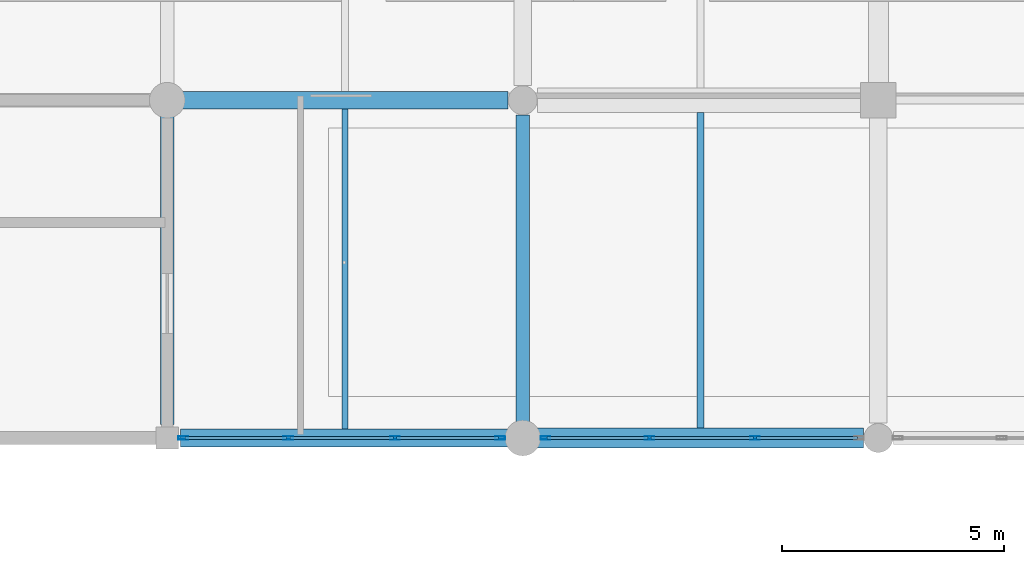
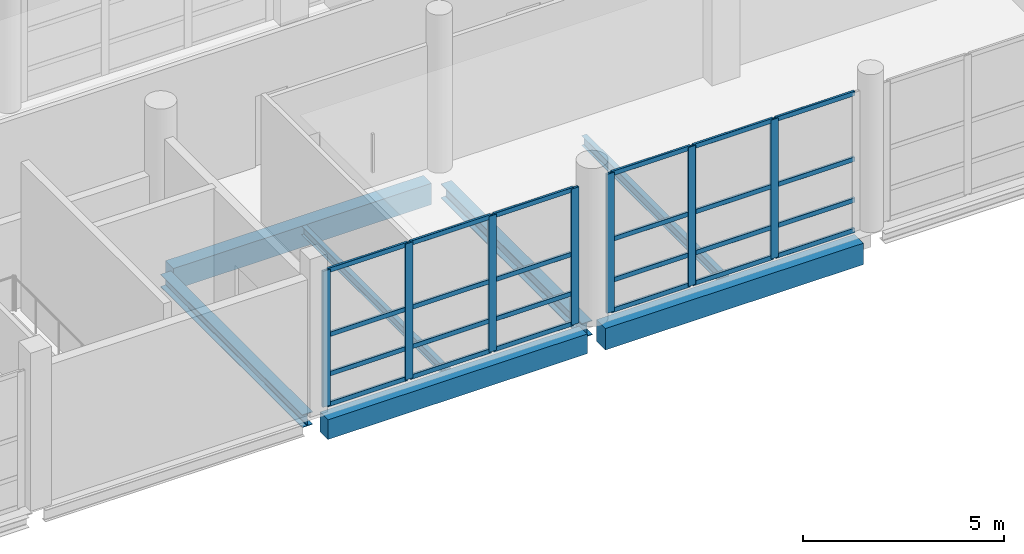
# One storey, part 27 of 141: 31 members, 7 beams, 2 elements without a shape of their own.
"""IFC4 building model written with IfcOpenShell, lengths in metres."""

import ifcopenshell
import ifcopenshell.guid

model = None  # the IFC model being written
_history = None  # IfcOwnerHistory: only IFC2X3 demands one
_inside = {}  # id of a spatial element -> (the spatial element, [elements in it])
_under = {}  # id of a project, library or spatial element -> (it, [spatial elements below it])
_declared = {}  # id of a project -> (the project, [libraries it declares])
_typed = {}  # id of a type object -> (the type object, [elements of that type])
_made_of = {}  # id of a material, layer set ... -> (it, [elements and type objects made of it])


def new_model(schema):
    """Start an empty IFC model of exactly this schema.

    Asked for "IFC4X3", IfcOpenShell would pick the latest addendum, in which some entities
    have other attributes; the version numbers below select the first issue.
    IFC2X3 requires an IfcOwnerHistory on every rooted entity: one is made here for all.
    """
    global model, _history
    if schema == "IFC4X3":
        model = ifcopenshell.file(schema_version=(4, 3, 0, 0))
    else:
        model = ifcopenshell.file(schema=schema)
    _inside.clear()
    _under.clear()
    _declared.clear()
    _typed.clear()
    _made_of.clear()
    _history = None
    if model.schema == "IFC2X3":
        org = make("IfcOrganization", Name="unknown")
        user = make(
            "IfcPersonAndOrganization",
            ThePerson=make("IfcPerson", FamilyName="unknown"),
            TheOrganization=org,
        )
        app = make(
            "IfcApplication",
            ApplicationDeveloper=org,
            Version="unknown",
            ApplicationFullName="unknown",
            ApplicationIdentifier="unknown",
        )
        _history = make(
            "IfcOwnerHistory",
            OwningUser=user,
            OwningApplication=app,
            ChangeAction="ADDED",
            CreationDate=0,
        )
    return model


def make(cls, **values):
    """One entity of the class cls with the attributes given. An attribute that is None is left unset."""
    return model.create_entity(
        cls, **{name: value for name, value in values.items() if value is not None}
    )


def rooted(cls, **values):
    """An entity with a GlobalId (a new one), such as an element, a storey or a relation."""
    return make(cls, GlobalId=ifcopenshell.guid.new(), OwnerHistory=_history, **values)


def si_unit(unit_type, name, prefix=None):
    """IfcSIUnit, for example si_unit("LENGTHUNIT", "METRE", prefix="MILLI")."""
    return make("IfcSIUnit", UnitType=unit_type, Prefix=prefix, Name=name)


def assignment(units):
    """IfcUnitAssignment: the units of a project."""
    return None if units is None else make("IfcUnitAssignment", Units=units)


def point(xyz):
    """IfcCartesianPoint."""
    return None if xyz is None else make("IfcCartesianPoint", Coordinates=xyz)


def direction(xyz):
    """IfcDirection."""
    return None if xyz is None else make("IfcDirection", DirectionRatios=xyz)


def frame(location, z_axis=None, x_axis=None):
    """IfcAxis2Placement3D, a coordinate frame: its origin and axes. An axis left out is left unset."""
    return make(
        "IfcAxis2Placement3D",
        Location=point(location),
        Axis=direction(z_axis),
        RefDirection=direction(x_axis),
    )


def frame_2d(location, x_axis=None):
    """IfcAxis2Placement2D, a coordinate frame in the plane: its origin and x axis."""
    return make(
        "IfcAxis2Placement2D", Location=point(location), RefDirection=direction(x_axis)
    )


def origin():
    """The frame at (0, 0, 0) with its axes left unset."""
    return frame((0.0, 0.0, 0.0))


def origin_2d():
    """The frame at (0, 0) in the plane with its x axis left unset."""
    return frame_2d((0.0, 0.0))


def place(relative_to, where):
    """IfcLocalPlacement: puts the frame where relative to a parent placement (None: the world)."""
    return make(
        "IfcLocalPlacement", PlacementRelTo=relative_to, RelativePlacement=where
    )


def context(
    kind, dimensions, precision=None, world=None, true_north=None, identifier=None
):
    """IfcGeometricRepresentationContext, for example the 3D "Model" context."""
    return make(
        "IfcGeometricRepresentationContext",
        ContextIdentifier=identifier,
        ContextType=kind,
        CoordinateSpaceDimension=dimensions,
        Precision=precision,
        WorldCoordinateSystem=world,
        TrueNorth=true_north,
    )


def subcontext(parent, identifier, kind, view, scale=None):
    """IfcGeometricRepresentationSubContext, for example "Body" below "Model"."""
    return make(
        "IfcGeometricRepresentationSubContext",
        ContextIdentifier=identifier,
        ContextType=kind,
        ParentContext=parent,
        TargetScale=scale,
        TargetView=view,
    )


def project(units=None, contexts=None):
    """IfcProject with its units and contexts."""
    return rooted(
        "IfcProject",
        Name="project",
        RepresentationContexts=contexts,
        UnitsInContext=assignment(units),
    )


def spatial(cls, under=None, at=None, **own):
    """A site, building, storey or space (cls), placed at a placement, below another one or the project."""
    s = rooted(cls, ObjectPlacement=at, **own)
    if under is not None:
        _under.setdefault(under.id(), (under, []))[1].append(s)
    return s


def profile(cls, at=None, kind="AREA", **sizes):
    """A parametric profile (cls). Its sizes go by their IFC names, for example OverallWidth=200.0."""
    return make(cls, ProfileType=kind, Position=at, **sizes)


def rectangle(**sizes):
    """IfcRectangleProfileDef."""
    return profile("IfcRectangleProfileDef", **sizes)


def hollow_rectangle(**sizes):
    """IfcRectangleHollowProfileDef."""
    return profile("IfcRectangleHollowProfileDef", **sizes)


def i_section(**sizes):
    """IfcIShapeProfileDef."""
    return profile("IfcIShapeProfileDef", **sizes)


def extrude(swept, where, along, depth):
    """IfcExtrudedAreaSolid: the profile swept, set in the frame where, extruded along a direction by depth."""
    return make(
        "IfcExtrudedAreaSolid",
        SweptArea=swept,
        Position=where,
        ExtrudedDirection=direction(along),
        Depth=depth,
    )


def shape(context_of_items, identifier, shape_type, items):
    """IfcShapeRepresentation: the items that make up one representation, for example the "Body"."""
    return make(
        "IfcShapeRepresentation",
        ContextOfItems=context_of_items,
        RepresentationIdentifier=identifier,
        RepresentationType=shape_type,
        Items=items,
    )


def material(Name=None, Category=None):
    """IfcMaterial."""
    return make("IfcMaterial", Name=Name, Category=Category)


def material_profile(
    of_material, cross_section, Name=None, Category=None, Priority=None
):
    """IfcMaterialProfile: a cross section and its material."""
    return make(
        "IfcMaterialProfile",
        Name=Name,
        Material=of_material,
        Profile=cross_section,
        Priority=Priority,
        Category=Category,
    )


def profile_set(profiles, Name=None, composite=None):
    """IfcMaterialProfileSet."""
    return make(
        "IfcMaterialProfileSet",
        Name=Name,
        MaterialProfiles=profiles,
        CompositeProfile=composite,
    )


def made_of(thing, what):
    """Note that an element or type object is made of a material, layer set ...; save() writes the relation."""
    if what is not None:
        _made_of.setdefault(what.id(), (what, []))[1].append(thing)
    return thing


def type_object(cls, material=None, **own):
    """A type object (cls), such as IfcWallType, which elements share."""
    return made_of(rooted(cls, **own), material)


def element(
    cls,
    number,
    at=None,
    inside=None,
    cuts=None,
    type_object=None,
    material=None,
    context=None,
    identifier="Body",
    shape_type=None,
    held_by="IfcProductDefinitionShape",
    body=None,
    shapes=None,
    **own,
):
    """One element of the class cls, such as IfcWall. Its Tag is "e" and its number.

    at: its placement. inside: the storey or other place that contains it. cuts: it is an
    opening in that element (IfcRelVoidsElement). A single representation is given by context,
    identifier, shape_type and body (its items); several are given by shapes. held_by: the class
    of the entity that holds the representations. save() writes the other relations.
    """
    e = rooted(cls, Tag="e%d" % number, ObjectPlacement=at, **own)
    if body is not None:
        shapes = [shape(context, identifier, shape_type, body)]
    if shapes is not None:
        e.Representation = make(held_by, Representations=shapes)
    if inside is not None:
        _inside.setdefault(inside.id(), (inside, []))[1].append(e)
    if cuts is not None:
        rooted(
            "IfcRelVoidsElement", RelatingBuildingElement=cuts, RelatedOpeningElement=e
        )
    if type_object is not None:
        _typed.setdefault(type_object.id(), (type_object, []))[1].append(e)
    return made_of(e, material)


def aggregate(whole, parts):
    """IfcRelAggregates: a whole, such as a stair, and the parts it consists of."""
    return rooted("IfcRelAggregates", RelatingObject=whole, RelatedObjects=parts)


def save(model, path):
    """Write the relations noted so far, then the file.

    IfcRelAggregates (storeys below a building ...), IfcRelContainedInSpatialStructure (elements
    in a storey), IfcRelDefinesByType, IfcRelAssociatesMaterial and IfcRelDeclares: one each for
    every whole, place, type object, material and project.
    """
    for whole, parts in _under.values():
        aggregate(whole, parts)
    for where, things in _inside.values():
        rooted(
            "IfcRelContainedInSpatialStructure",
            RelatedElements=things,
            RelatingStructure=where,
        )
    for kind, things in _typed.values():
        rooted("IfcRelDefinesByType", RelatedObjects=things, RelatingType=kind)
    for what, things in _made_of.values():
        rooted("IfcRelAssociatesMaterial", RelatedObjects=things, RelatingMaterial=what)
    for by, libraries in _declared.values():
        rooted("IfcRelDeclares", RelatingContext=by, RelatedDefinitions=libraries)
    model.write(path)


model = new_model("IFC4")

# Units and contexts
model_context = context("Model", 3, precision=1e-05, world=origin(), true_north=direction((0.0, 1.0)))
body_context = subcontext(model_context, "Body", "Model", "MODEL_VIEW")
ifc_project = project(units=[si_unit("LENGTHUNIT", "METRE"), si_unit("AREAUNIT", "SQUARE_METRE"), si_unit("VOLUMEUNIT", "CUBIC_METRE"), si_unit("PLANEANGLEUNIT", "RADIAN"), si_unit("MASSUNIT", "GRAM", prefix="KILO")], contexts=[model_context])

# Site, building, storey
site_placement = place(None, origin())
site = spatial("IfcSite", under=ifc_project, at=site_placement, CompositionType="ELEMENT")
building_placement = place(site_placement, origin())
building = spatial("IfcBuilding", under=site, at=building_placement, Name="Khelvaren Railside Concert Hall", CompositionType="ELEMENT")
storey_placement = place(building_placement, frame((0.0, 0.0, 10.199951171875)))
storey = spatial("IfcBuildingStorey", under=building, at=storey_placement, Name="L02", CompositionType="ELEMENT", Elevation=10.199951171875)

# Beams
ifc_material_1 = material(Name="Steel S355", Category="steel")
ifc_material_profile_1 = material_profile(ifc_material_1, i_section(OverallWidth=0.300048828125, OverallDepth=0.389892578125, WebThickness=0.010986328125, FlangeThickness=0.01904296875, FilletRadius=0.027099609375, at=origin_2d()), Name="HEA 400")
ifc_profile_set_1 = profile_set([ifc_material_profile_1], Name="Steel S355")
beam_type_1 = type_object("IfcBeamType", Name="BM23", PredefinedType="BEAM", material=ifc_profile_set_1)
beam_1_placement = place(storey_placement, frame((80.0, 0.300048828125, -0.48486328125), z_axis=(0.0, 1.0, 0.0), x_axis=(-1.0, 0.0, 0.0)))
element("IfcBeam", 1, at=beam_1_placement, inside=storey, type_object=beam_type_1, Name="V3 L02 Beam Y3.1", PredefinedType="BEAM", context=body_context, shape_type="SweptSolid", body=[
    extrude(i_section(OverallWidth=0.300048828125, OverallDepth=0.389892578125, WebThickness=0.010986328125, FlangeThickness=0.01904296875, FilletRadius=0.027099609375, at=origin_2d()), origin(), (0.0, 0.0, 1.0), 7.050048828125),
])
ifc_material_2 = material(Name="Concrete C40/50", Category="concrete")
ifc_material_profile_2 = material_profile(ifc_material_2, rectangle(XDim=0.39990234375, YDim=0.64990234375, at=origin_2d()), Name="RCB 400x650")
ifc_profile_set_2 = profile_set([ifc_material_profile_2], Name="Concrete C40/50")
beam_type_2 = type_object("IfcBeamType", Name="BM33", PredefinedType="BEAM", material=ifc_profile_set_2)
beam_2_placement = place(storey_placement, frame((80.25, 7.60009765625, -0.614990234375), z_axis=(1.0, 0.0, 0.0), x_axis=(0.0, 1.0, 0.0)))
element("IfcBeam", 2, at=beam_2_placement, inside=storey, type_object=beam_type_2, Name="V3 L02 Beam X2.3", PredefinedType="BEAM", context=body_context, shape_type="SweptSolid", body=[
    extrude(rectangle(XDim=0.39990234375, YDim=0.64990234375, at=origin_2d()), origin(), (0.0, 0.0, 1.0), 7.4140625),
])
ifc_material_profile_3 = material_profile(ifc_material_1, i_section(OverallWidth=0.300048828125, OverallDepth=0.43994140625, WebThickness=0.011474609375, FlangeThickness=0.02099609375, FilletRadius=0.027099609375, at=origin_2d()), Name="HEA 450")
ifc_profile_set_3 = profile_set([ifc_material_profile_3], Name="Steel S355")
beam_type_3 = type_object("IfcBeamType", Name="BM89", PredefinedType="BEAM", material=ifc_profile_set_3)
beam_3_placement = place(storey_placement, frame((88.0, 0.25, -0.510009765625), z_axis=(0.0, 1.0, 0.0), x_axis=(-1.0, 0.0, 0.0)))
element("IfcBeam", 3, at=beam_3_placement, inside=storey, type_object=beam_type_3, Name="V3 L02 Beam Y4.1", PredefinedType="BEAM", context=body_context, shape_type="SweptSolid", body=[
    extrude(i_section(OverallWidth=0.300048828125, OverallDepth=0.43994140625, WebThickness=0.011474609375, FlangeThickness=0.02099609375, FilletRadius=0.027099609375, at=origin_2d()), origin(), (0.0, 0.0, 1.0), 7.013916015625),
])

# Curtain wall, members
ifc_material_3 = material(Name="Double-glazed clear foyer glass", Category="glass")
curtain_wall_type_1 = type_object("IfcCurtainWallType", Name="CW64", PredefinedType="USERDEFINED", material=ifc_material_3)
curtain_wall_1_placement = place(storey_placement, origin())
curtain_wall_1 = element("IfcCurtainWall", 4, at=curtain_wall_1_placement, inside=storey, type_object=curtain_wall_type_1, Name="Unitised Curtain Wall CW-V3-L02-S-80", ObjectType="UNITISED CURTAIN WALL", PredefinedType="USERDEFINED")
ifc_material_4 = material(Name="Anodised architectural aluminium 6063-T6", Category="aluminium")
ifc_material_profile_4 = material_profile(ifc_material_4, hollow_rectangle(XDim=0.074951171875, YDim=0.219970703125, WallThickness=0.0048828125, InnerFilletRadius=0.0029296875, OuterFilletRadius=0.0048828125, at=origin_2d()), Name="CWM 75x220x5")
ifc_profile_set_4 = profile_set([ifc_material_profile_4], Name="Anodised architectural aluminium 6063-T6")
member_type_1 = type_object("IfcMemberType", Name="CWM13", PredefinedType="MULLION", material=ifc_profile_set_4)
member_1_placement = place(storey_placement, frame((87.489990234375, 0.0, 0.0), z_axis=(0.0, 0.0, 1.0), x_axis=(0.0, -1.0, 0.0)))
member_1 = element("IfcMember", 5, at=member_1_placement, type_object=member_type_1, Name="CW64 mullion 1", PredefinedType="MULLION", context=body_context, shape_type="SweptSolid", body=[
    extrude(hollow_rectangle(XDim=0.074951171875, YDim=0.219970703125, WallThickness=0.0048828125, InnerFilletRadius=0.0029296875, OuterFilletRadius=0.0048828125, at=origin_2d()), origin(), (0.0, 0.0, 1.0), 4.130126953125),
])
member_2_placement = place(storey_placement, frame((85.125732421875, 0.0, 0.0), z_axis=(0.0, 0.0, 1.0), x_axis=(0.0, -1.0, 0.0)))
member_2 = element("IfcMember", 6, at=member_2_placement, type_object=member_type_1, Name="CW64 mullion 2", PredefinedType="MULLION", context=body_context, shape_type="SweptSolid", body=[
    extrude(hollow_rectangle(XDim=0.074951171875, YDim=0.219970703125, WallThickness=0.0048828125, InnerFilletRadius=0.0029296875, OuterFilletRadius=0.0048828125, at=origin_2d()), origin(), (0.0, 0.0, 1.0), 4.130126953125),
])
member_3_placement = place(storey_placement, frame((82.72412109375, 0.0, 0.0), z_axis=(0.0, 0.0, 1.0), x_axis=(0.0, -1.0, 0.0)))
member_3 = element("IfcMember", 7, at=member_3_placement, type_object=member_type_1, Name="CW64 mullion 3", PredefinedType="MULLION", context=body_context, shape_type="SweptSolid", body=[
    extrude(hollow_rectangle(XDim=0.074951171875, YDim=0.219970703125, WallThickness=0.0048828125, InnerFilletRadius=0.0029296875, OuterFilletRadius=0.0048828125, at=origin_2d()), origin(), (0.0, 0.0, 1.0), 4.130126953125),
])
member_4_placement = place(storey_placement, frame((80.360107421875, 0.0, 0.0), z_axis=(0.0, 0.0, 1.0), x_axis=(0.0, -1.0, 0.0)))
member_4 = element("IfcMember", 8, at=member_4_placement, type_object=member_type_1, Name="CW64 mullion 4", PredefinedType="MULLION", context=body_context, shape_type="SweptSolid", body=[
    extrude(hollow_rectangle(XDim=0.074951171875, YDim=0.219970703125, WallThickness=0.0048828125, InnerFilletRadius=0.0029296875, OuterFilletRadius=0.0048828125, at=origin_2d()), origin(), (0.0, 0.0, 1.0), 4.130126953125),
])

curtain_wall_type_2 = type_object("IfcCurtainWallType", Name="CW68", PredefinedType="USERDEFINED", material=ifc_material_3)
curtain_wall_2_placement = place(storey_placement, origin())
curtain_wall_2 = element("IfcCurtainWall", 9, at=curtain_wall_2_placement, inside=storey, type_object=curtain_wall_type_2, Name="Unitised Curtain Wall CW-V3-L02-S-88", ObjectType="UNITISED CURTAIN WALL", PredefinedType="USERDEFINED")
member_5_placement = place(storey_placement, frame((93.225830078125, 0.0, 0.0), z_axis=(0.0, 0.0, 1.0), x_axis=(0.0, -1.0, 0.0)))
member_5 = element("IfcMember", 10, at=member_5_placement, type_object=member_type_1, Name="CW68 mullion 2", PredefinedType="MULLION", context=body_context, shape_type="SweptSolid", body=[
    extrude(hollow_rectangle(XDim=0.074951171875, YDim=0.219970703125, WallThickness=0.0048828125, InnerFilletRadius=0.0029296875, OuterFilletRadius=0.0048828125, at=origin_2d()), origin(), (0.0, 0.0, 1.0), 4.219970703125),
])
member_6_placement = place(storey_placement, frame((90.84912109375, 0.0, 0.0), z_axis=(0.0, 0.0, 1.0), x_axis=(0.0, -1.0, 0.0)))
member_6 = element("IfcMember", 11, at=member_6_placement, type_object=member_type_1, Name="CW68 mullion 3", PredefinedType="MULLION", context=body_context, shape_type="SweptSolid", body=[
    extrude(hollow_rectangle(XDim=0.074951171875, YDim=0.219970703125, WallThickness=0.0048828125, InnerFilletRadius=0.0029296875, OuterFilletRadius=0.0048828125, at=origin_2d()), origin(), (0.0, 0.0, 1.0), 4.219970703125),
])
member_7_placement = place(storey_placement, frame((88.510009765625, 0.0, 0.0), z_axis=(0.0, 0.0, 1.0), x_axis=(0.0, -1.0, 0.0)))
member_7 = element("IfcMember", 12, at=member_7_placement, type_object=member_type_1, Name="CW68 mullion 4", PredefinedType="MULLION", context=body_context, shape_type="SweptSolid", body=[
    extrude(hollow_rectangle(XDim=0.074951171875, YDim=0.219970703125, WallThickness=0.0048828125, InnerFilletRadius=0.0029296875, OuterFilletRadius=0.0048828125, at=origin_2d()), origin(), (0.0, 0.0, 1.0), 4.219970703125),
])

# Member
ifc_material_profile_5 = material_profile(ifc_material_4, hollow_rectangle(XDim=0.06494140625, YDim=0.139892578125, WallThickness=0.00390625, InnerFilletRadius=0.001953125, OuterFilletRadius=0.00390625, at=origin_2d()), Name="CWT 65x140x4")
ifc_profile_set_5 = profile_set([ifc_material_profile_5], Name="Anodised architectural aluminium 6063-T6")
member_type_2 = type_object("IfcMemberType", Name="CWT72", PredefinedType="USERDEFINED", material=ifc_profile_set_5)
member_8_placement = place(storey_placement, frame((87.452392578125, 0.0, 0.032470703125), z_axis=(-1.0, 0.0, 0.0), x_axis=(0.0, -1.0, 0.0)))
member_8 = element("IfcMember", 13, at=member_8_placement, type_object=member_type_2, Name="CW64 transom 1.1", ObjectType="TRANSOM", PredefinedType="USERDEFINED", context=body_context, shape_type="SweptSolid", body=[
    extrude(hollow_rectangle(XDim=0.06494140625, YDim=0.139892578125, WallThickness=0.00390625, InnerFilletRadius=0.001953125, OuterFilletRadius=0.00390625, at=origin_2d()), origin(), (0.0, 0.0, 1.0), 2.2890625),
])

member_9_placement = place(storey_placement, frame((87.452392578125, 0.0, 0.949951171875), z_axis=(-1.0, 0.0, 0.0), x_axis=(0.0, -1.0, 0.0)))
member_9 = element("IfcMember", 14, at=member_9_placement, type_object=member_type_2, Name="CW64 transom 1.2", ObjectType="TRANSOM", PredefinedType="USERDEFINED", context=body_context, shape_type="SweptSolid", body=[
    extrude(hollow_rectangle(XDim=0.06494140625, YDim=0.139892578125, WallThickness=0.00390625, InnerFilletRadius=0.001953125, OuterFilletRadius=0.00390625, at=origin_2d()), origin(), (0.0, 0.0, 1.0), 2.2890625),
])

member_10_placement = place(storey_placement, frame((87.452392578125, 0.0, 2.147705078125), z_axis=(-1.0, 0.0, 0.0), x_axis=(0.0, -1.0, 0.0)))
member_10 = element("IfcMember", 15, at=member_10_placement, type_object=member_type_2, Name="CW64 transom 1.3", ObjectType="TRANSOM", PredefinedType="USERDEFINED", context=body_context, shape_type="SweptSolid", body=[
    extrude(hollow_rectangle(XDim=0.06494140625, YDim=0.139892578125, WallThickness=0.00390625, InnerFilletRadius=0.001953125, OuterFilletRadius=0.00390625, at=origin_2d()), origin(), (0.0, 0.0, 1.0), 2.2890625),
])

member_11_placement = place(storey_placement, frame((87.452392578125, 0.0, 4.09765625), z_axis=(-1.0, 0.0, 0.0), x_axis=(0.0, -1.0, 0.0)))
member_11 = element("IfcMember", 16, at=member_11_placement, type_object=member_type_2, Name="CW64 transom 1.4", ObjectType="TRANSOM", PredefinedType="USERDEFINED", context=body_context, shape_type="SweptSolid", body=[
    extrude(hollow_rectangle(XDim=0.06494140625, YDim=0.139892578125, WallThickness=0.00390625, InnerFilletRadius=0.001953125, OuterFilletRadius=0.00390625, at=origin_2d()), origin(), (0.0, 0.0, 1.0), 2.2890625),
])

member_12_placement = place(storey_placement, frame((85.08837890625, 0.0, 0.032470703125), z_axis=(-1.0, 0.0, 0.0), x_axis=(0.0, -1.0, 0.0)))
member_12 = element("IfcMember", 17, at=member_12_placement, type_object=member_type_2, Name="CW64 transom 2.1", ObjectType="TRANSOM", PredefinedType="USERDEFINED", context=body_context, shape_type="SweptSolid", body=[
    extrude(hollow_rectangle(XDim=0.06494140625, YDim=0.139892578125, WallThickness=0.00390625, InnerFilletRadius=0.001953125, OuterFilletRadius=0.00390625, at=origin_2d()), origin(), (0.0, 0.0, 1.0), 2.32666015625),
])

member_13_placement = place(storey_placement, frame((85.08837890625, 0.0, 0.949951171875), z_axis=(-1.0, 0.0, 0.0), x_axis=(0.0, -1.0, 0.0)))
member_13 = element("IfcMember", 18, at=member_13_placement, type_object=member_type_2, Name="CW64 transom 2.2", ObjectType="TRANSOM", PredefinedType="USERDEFINED", context=body_context, shape_type="SweptSolid", body=[
    extrude(hollow_rectangle(XDim=0.06494140625, YDim=0.139892578125, WallThickness=0.00390625, InnerFilletRadius=0.001953125, OuterFilletRadius=0.00390625, at=origin_2d()), origin(), (0.0, 0.0, 1.0), 2.32666015625),
])

member_14_placement = place(storey_placement, frame((85.08837890625, 0.0, 2.147705078125), z_axis=(-1.0, 0.0, 0.0), x_axis=(0.0, -1.0, 0.0)))
member_14 = element("IfcMember", 19, at=member_14_placement, type_object=member_type_2, Name="CW64 transom 2.3", ObjectType="TRANSOM", PredefinedType="USERDEFINED", context=body_context, shape_type="SweptSolid", body=[
    extrude(hollow_rectangle(XDim=0.06494140625, YDim=0.139892578125, WallThickness=0.00390625, InnerFilletRadius=0.001953125, OuterFilletRadius=0.00390625, at=origin_2d()), origin(), (0.0, 0.0, 1.0), 2.32666015625),
])

member_15_placement = place(storey_placement, frame((85.08837890625, 0.0, 4.09765625), z_axis=(-1.0, 0.0, 0.0), x_axis=(0.0, -1.0, 0.0)))
member_15 = element("IfcMember", 20, at=member_15_placement, type_object=member_type_2, Name="CW64 transom 2.4", ObjectType="TRANSOM", PredefinedType="USERDEFINED", context=body_context, shape_type="SweptSolid", body=[
    extrude(hollow_rectangle(XDim=0.06494140625, YDim=0.139892578125, WallThickness=0.00390625, InnerFilletRadius=0.001953125, OuterFilletRadius=0.00390625, at=origin_2d()), origin(), (0.0, 0.0, 1.0), 2.32666015625),
])

member_16_placement = place(storey_placement, frame((82.686767578125, 0.0, 0.032470703125), z_axis=(-1.0, 0.0, 0.0), x_axis=(0.0, -1.0, 0.0)))
member_16 = element("IfcMember", 21, at=member_16_placement, type_object=member_type_2, Name="CW64 transom 3.1", ObjectType="TRANSOM", PredefinedType="USERDEFINED", context=body_context, shape_type="SweptSolid", body=[
    extrude(hollow_rectangle(XDim=0.06494140625, YDim=0.139892578125, WallThickness=0.00390625, InnerFilletRadius=0.001953125, OuterFilletRadius=0.00390625, at=origin_2d()), origin(), (0.0, 0.0, 1.0), 2.289306640625),
])

member_17_placement = place(storey_placement, frame((82.686767578125, 0.0, 0.949951171875), z_axis=(-1.0, 0.0, 0.0), x_axis=(0.0, -1.0, 0.0)))
member_17 = element("IfcMember", 22, at=member_17_placement, type_object=member_type_2, Name="CW64 transom 3.2", ObjectType="TRANSOM", PredefinedType="USERDEFINED", context=body_context, shape_type="SweptSolid", body=[
    extrude(hollow_rectangle(XDim=0.06494140625, YDim=0.139892578125, WallThickness=0.00390625, InnerFilletRadius=0.001953125, OuterFilletRadius=0.00390625, at=origin_2d()), origin(), (0.0, 0.0, 1.0), 2.289306640625),
])

member_18_placement = place(storey_placement, frame((82.686767578125, 0.0, 2.147705078125), z_axis=(-1.0, 0.0, 0.0), x_axis=(0.0, -1.0, 0.0)))
member_18 = element("IfcMember", 23, at=member_18_placement, type_object=member_type_2, Name="CW64 transom 3.3", ObjectType="TRANSOM", PredefinedType="USERDEFINED", context=body_context, shape_type="SweptSolid", body=[
    extrude(hollow_rectangle(XDim=0.06494140625, YDim=0.139892578125, WallThickness=0.00390625, InnerFilletRadius=0.001953125, OuterFilletRadius=0.00390625, at=origin_2d()), origin(), (0.0, 0.0, 1.0), 2.289306640625),
])

member_19_placement = place(storey_placement, frame((82.686767578125, 0.0, 4.09765625), z_axis=(-1.0, 0.0, 0.0), x_axis=(0.0, -1.0, 0.0)))
member_19 = element("IfcMember", 24, at=member_19_placement, type_object=member_type_2, Name="CW64 transom 3.4", ObjectType="TRANSOM", PredefinedType="USERDEFINED", context=body_context, shape_type="SweptSolid", body=[
    extrude(hollow_rectangle(XDim=0.06494140625, YDim=0.139892578125, WallThickness=0.00390625, InnerFilletRadius=0.001953125, OuterFilletRadius=0.00390625, at=origin_2d()), origin(), (0.0, 0.0, 1.0), 2.289306640625),
])

aggregate(curtain_wall_1, [member_1, member_2, member_3, member_4, member_8, member_9, member_10, member_11, member_12, member_13, member_14, member_15, member_16, member_17, member_18, member_19])

member_20_placement = place(storey_placement, frame((95.527587890625, 0.0, 0.032470703125), z_axis=(-1.0, 0.0, 0.0), x_axis=(0.0, -1.0, 0.0)))
member_20 = element("IfcMember", 25, at=member_20_placement, type_object=member_type_2, Name="CW68 transom 1.1", ObjectType="TRANSOM", PredefinedType="USERDEFINED", context=body_context, shape_type="SweptSolid", body=[
    extrude(hollow_rectangle(XDim=0.06494140625, YDim=0.139892578125, WallThickness=0.00390625, InnerFilletRadius=0.001953125, OuterFilletRadius=0.00390625, at=origin_2d()), origin(), (0.0, 0.0, 1.0), 2.26416015625),
])

member_21_placement = place(storey_placement, frame((95.527587890625, 0.0, 0.949951171875), z_axis=(-1.0, 0.0, 0.0), x_axis=(0.0, -1.0, 0.0)))
member_21 = element("IfcMember", 26, at=member_21_placement, type_object=member_type_2, Name="CW68 transom 1.2", ObjectType="TRANSOM", PredefinedType="USERDEFINED", context=body_context, shape_type="SweptSolid", body=[
    extrude(hollow_rectangle(XDim=0.06494140625, YDim=0.139892578125, WallThickness=0.00390625, InnerFilletRadius=0.001953125, OuterFilletRadius=0.00390625, at=origin_2d()), origin(), (0.0, 0.0, 1.0), 2.26416015625),
])

member_22_placement = place(storey_placement, frame((95.527587890625, 0.0, 2.1943359375), z_axis=(-1.0, 0.0, 0.0), x_axis=(0.0, -1.0, 0.0)))
member_22 = element("IfcMember", 27, at=member_22_placement, type_object=member_type_2, Name="CW68 transom 1.3", ObjectType="TRANSOM", PredefinedType="USERDEFINED", context=body_context, shape_type="SweptSolid", body=[
    extrude(hollow_rectangle(XDim=0.06494140625, YDim=0.139892578125, WallThickness=0.00390625, InnerFilletRadius=0.001953125, OuterFilletRadius=0.00390625, at=origin_2d()), origin(), (0.0, 0.0, 1.0), 2.26416015625),
])

member_23_placement = place(storey_placement, frame((95.527587890625, 0.0, 4.1875), z_axis=(-1.0, 0.0, 0.0), x_axis=(0.0, -1.0, 0.0)))
member_23 = element("IfcMember", 28, at=member_23_placement, type_object=member_type_2, Name="CW68 transom 1.4", ObjectType="TRANSOM", PredefinedType="USERDEFINED", context=body_context, shape_type="SweptSolid", body=[
    extrude(hollow_rectangle(XDim=0.06494140625, YDim=0.139892578125, WallThickness=0.00390625, InnerFilletRadius=0.001953125, OuterFilletRadius=0.00390625, at=origin_2d()), origin(), (0.0, 0.0, 1.0), 2.26416015625),
])

member_24_placement = place(storey_placement, frame((93.188232421875, 0.0, 0.032470703125), z_axis=(-1.0, 0.0, 0.0), x_axis=(0.0, -1.0, 0.0)))
member_24 = element("IfcMember", 29, at=member_24_placement, type_object=member_type_2, Name="CW68 transom 2.1", ObjectType="TRANSOM", PredefinedType="USERDEFINED", context=body_context, shape_type="SweptSolid", body=[
    extrude(hollow_rectangle(XDim=0.06494140625, YDim=0.139892578125, WallThickness=0.00390625, InnerFilletRadius=0.001953125, OuterFilletRadius=0.00390625, at=origin_2d()), origin(), (0.0, 0.0, 1.0), 2.301513671875),
])

member_25_placement = place(storey_placement, frame((93.188232421875, 0.0, 0.949951171875), z_axis=(-1.0, 0.0, 0.0), x_axis=(0.0, -1.0, 0.0)))
member_25 = element("IfcMember", 30, at=member_25_placement, type_object=member_type_2, Name="CW68 transom 2.2", ObjectType="TRANSOM", PredefinedType="USERDEFINED", context=body_context, shape_type="SweptSolid", body=[
    extrude(hollow_rectangle(XDim=0.06494140625, YDim=0.139892578125, WallThickness=0.00390625, InnerFilletRadius=0.001953125, OuterFilletRadius=0.00390625, at=origin_2d()), origin(), (0.0, 0.0, 1.0), 2.301513671875),
])

member_26_placement = place(storey_placement, frame((93.188232421875, 0.0, 2.1943359375), z_axis=(-1.0, 0.0, 0.0), x_axis=(0.0, -1.0, 0.0)))
member_26 = element("IfcMember", 31, at=member_26_placement, type_object=member_type_2, Name="CW68 transom 2.3", ObjectType="TRANSOM", PredefinedType="USERDEFINED", context=body_context, shape_type="SweptSolid", body=[
    extrude(hollow_rectangle(XDim=0.06494140625, YDim=0.139892578125, WallThickness=0.00390625, InnerFilletRadius=0.001953125, OuterFilletRadius=0.00390625, at=origin_2d()), origin(), (0.0, 0.0, 1.0), 2.301513671875),
])

member_27_placement = place(storey_placement, frame((93.188232421875, 0.0, 4.1875), z_axis=(-1.0, 0.0, 0.0), x_axis=(0.0, -1.0, 0.0)))
member_27 = element("IfcMember", 32, at=member_27_placement, type_object=member_type_2, Name="CW68 transom 2.4", ObjectType="TRANSOM", PredefinedType="USERDEFINED", context=body_context, shape_type="SweptSolid", body=[
    extrude(hollow_rectangle(XDim=0.06494140625, YDim=0.139892578125, WallThickness=0.00390625, InnerFilletRadius=0.001953125, OuterFilletRadius=0.00390625, at=origin_2d()), origin(), (0.0, 0.0, 1.0), 2.301513671875),
])

member_28_placement = place(storey_placement, frame((90.811767578125, 0.0, 0.032470703125), z_axis=(-1.0, 0.0, 0.0), x_axis=(0.0, -1.0, 0.0)))
member_28 = element("IfcMember", 33, at=member_28_placement, type_object=member_type_2, Name="CW68 transom 3.1", ObjectType="TRANSOM", PredefinedType="USERDEFINED", context=body_context, shape_type="SweptSolid", body=[
    extrude(hollow_rectangle(XDim=0.06494140625, YDim=0.139892578125, WallThickness=0.00390625, InnerFilletRadius=0.001953125, OuterFilletRadius=0.00390625, at=origin_2d()), origin(), (0.0, 0.0, 1.0), 2.26416015625),
])

member_29_placement = place(storey_placement, frame((90.811767578125, 0.0, 0.949951171875), z_axis=(-1.0, 0.0, 0.0), x_axis=(0.0, -1.0, 0.0)))
member_29 = element("IfcMember", 34, at=member_29_placement, type_object=member_type_2, Name="CW68 transom 3.2", ObjectType="TRANSOM", PredefinedType="USERDEFINED", context=body_context, shape_type="SweptSolid", body=[
    extrude(hollow_rectangle(XDim=0.06494140625, YDim=0.139892578125, WallThickness=0.00390625, InnerFilletRadius=0.001953125, OuterFilletRadius=0.00390625, at=origin_2d()), origin(), (0.0, 0.0, 1.0), 2.26416015625),
])

member_30_placement = place(storey_placement, frame((90.811767578125, 0.0, 2.1943359375), z_axis=(-1.0, 0.0, 0.0), x_axis=(0.0, -1.0, 0.0)))
member_30 = element("IfcMember", 35, at=member_30_placement, type_object=member_type_2, Name="CW68 transom 3.3", ObjectType="TRANSOM", PredefinedType="USERDEFINED", context=body_context, shape_type="SweptSolid", body=[
    extrude(hollow_rectangle(XDim=0.06494140625, YDim=0.139892578125, WallThickness=0.00390625, InnerFilletRadius=0.001953125, OuterFilletRadius=0.00390625, at=origin_2d()), origin(), (0.0, 0.0, 1.0), 2.26416015625),
])

member_31_placement = place(storey_placement, frame((90.811767578125, 0.0, 4.1875), z_axis=(-1.0, 0.0, 0.0), x_axis=(0.0, -1.0, 0.0)))
member_31 = element("IfcMember", 36, at=member_31_placement, type_object=member_type_2, Name="CW68 transom 3.4", ObjectType="TRANSOM", PredefinedType="USERDEFINED", context=body_context, shape_type="SweptSolid", body=[
    extrude(hollow_rectangle(XDim=0.06494140625, YDim=0.139892578125, WallThickness=0.00390625, InnerFilletRadius=0.001953125, OuterFilletRadius=0.00390625, at=origin_2d()), origin(), (0.0, 0.0, 1.0), 2.26416015625),
])

aggregate(curtain_wall_2, [member_5, member_6, member_7, member_20, member_21, member_22, member_23, member_24, member_25, member_26, member_27, member_28, member_29, member_30, member_31])

# Beams
ifc_material_profile_6 = material_profile(ifc_material_1, i_section(OverallWidth=0.14990234375, OverallDepth=0.300048828125, WebThickness=0.007080078125, FlangeThickness=0.0107421875, FilletRadius=0.014892578125, at=origin_2d()), Name="IPE 300")
ifc_profile_set_6 = profile_set([ifc_material_profile_6], Name="Steel S355")
beam_type_4 = type_object("IfcBeamType", Name="JS26", PredefinedType="JOIST", material=ifc_profile_set_6)
beam_4_placement = place(storey_placement, frame((92.0, 0.22509765625, -0.43994140625), z_axis=(0.0, 1.0, 0.0), x_axis=(-1.0, 0.0, 0.0)))
element("IfcBeam", 37, at=beam_4_placement, inside=storey, type_object=beam_type_4, Name="V3 L02 Secondary Joist 4.1", PredefinedType="JOIST", context=body_context, shape_type="SweptSolid", body=[
    extrude(i_section(OverallWidth=0.14990234375, OverallDepth=0.300048828125, WebThickness=0.007080078125, FlangeThickness=0.0107421875, FilletRadius=0.014892578125, at=origin_2d()), origin(), (0.0, 0.0, 1.0), 7.099853515625),
])
ifc_material_profile_7 = material_profile(ifc_material_1, i_section(OverallWidth=0.135009765625, OverallDepth=0.27001953125, WebThickness=0.006591796875, FlangeThickness=0.01025390625, FilletRadius=0.014892578125, at=origin_2d()), Name="IPE 270")
ifc_profile_set_7 = profile_set([ifc_material_profile_7], Name="Steel S355")
beam_type_5 = type_object("IfcBeamType", Name="JS78", PredefinedType="JOIST", material=ifc_profile_set_7)
beam_5_placement = place(storey_placement, frame((84.0, 0.199951171875, -0.425048828125), z_axis=(0.0, 1.0, 0.0), x_axis=(-1.0, 0.0, 0.0)))
element("IfcBeam", 38, at=beam_5_placement, inside=storey, type_object=beam_type_5, Name="V3 L02 Secondary Joist 3.1", PredefinedType="JOIST", context=body_context, shape_type="SweptSolid", body=[
    extrude(i_section(OverallWidth=0.135009765625, OverallDepth=0.27001953125, WebThickness=0.006591796875, FlangeThickness=0.01025390625, FilletRadius=0.014892578125, at=origin_2d()), origin(), (0.0, 0.0, 1.0), 7.199951171875),
])
ifc_material_profile_8 = material_profile(ifc_material_2, rectangle(XDim=0.449951171875, YDim=0.64990234375, at=origin_2d()), Name="RCB 450x650")
ifc_profile_set_8 = profile_set([ifc_material_profile_8], Name="Concrete C40/50")
beam_type_6 = type_object("IfcBeamType", Name="SP34", PredefinedType="SPANDREL", material=ifc_profile_set_8)
beam_6_placement = place(storey_placement, frame((88.25, 0.0, -0.614990234375), z_axis=(1.0, 0.0, 0.0), x_axis=(0.0, 1.0, 0.0)))
element("IfcBeam", 39, at=beam_6_placement, inside=storey, type_object=beam_type_6, Name="V3 L02 Spandrel X1.4", PredefinedType="SPANDREL", context=body_context, shape_type="SweptSolid", body=[
    extrude(rectangle(XDim=0.449951171875, YDim=0.64990234375, at=origin_2d()), origin(), (0.0, 0.0, 1.0), 7.4140625),
])
ifc_material_profile_9 = material_profile(ifc_material_2, rectangle(XDim=0.39990234375, YDim=0.60009765625, at=origin_2d()), Name="RCB 400x600")
ifc_profile_set_9 = profile_set([ifc_material_profile_9], Name="Concrete C40/50")
beam_type_7 = type_object("IfcBeamType", Name="SP75", PredefinedType="SPANDREL", material=ifc_profile_set_9)
beam_7_placement = place(storey_placement, frame((80.300048828125, 0.0, -0.58984375), z_axis=(1.0, 0.0, 0.0), x_axis=(0.0, 1.0, 0.0)))
element("IfcBeam", 40, at=beam_7_placement, inside=storey, type_object=beam_type_7, Name="V3 L02 Spandrel X1.3", PredefinedType="SPANDREL", context=body_context, shape_type="SweptSolid", body=[
    extrude(rectangle(XDim=0.39990234375, YDim=0.60009765625, at=origin_2d()), origin(), (0.0, 0.0, 1.0), 7.449951171875),
])

save(model, "model.ifc")
